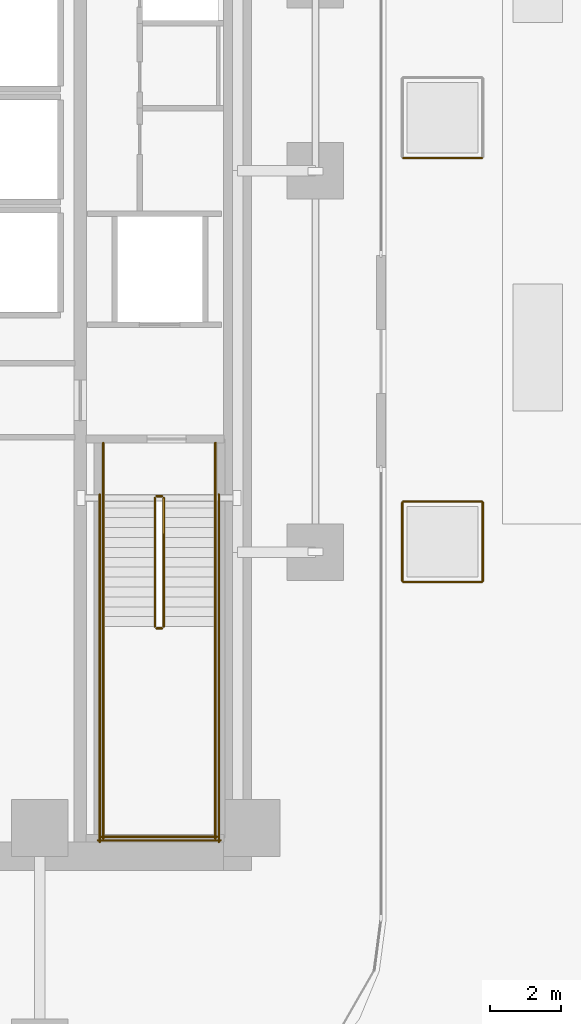
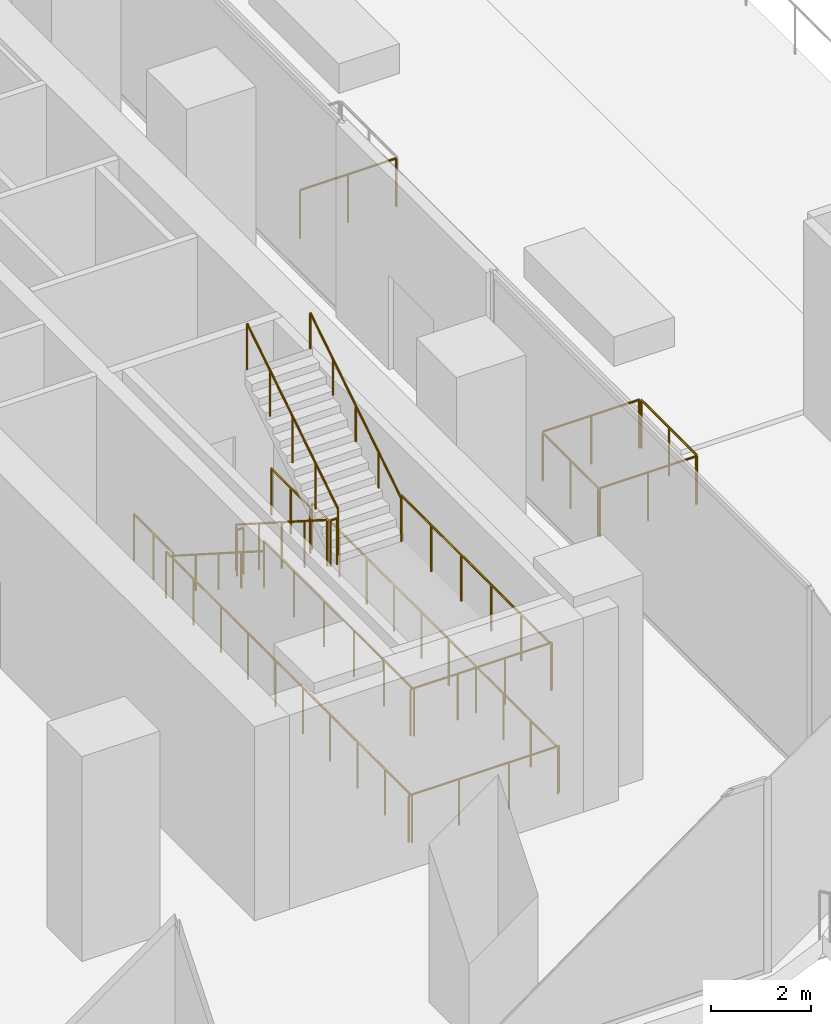
# One storey, part 18 of 21: 19 railings.
"""IFC4 building model written with IfcOpenShell, lengths in metres."""

import ifcopenshell
import ifcopenshell.guid

model = None  # the IFC model being written
_history = None  # IfcOwnerHistory: only IFC2X3 demands one
_inside = {}  # id of a spatial element -> (the spatial element, [elements in it])
_under = {}  # id of a project, library or spatial element -> (it, [spatial elements below it])
_declared = {}  # id of a project -> (the project, [libraries it declares])
_typed = {}  # id of a type object -> (the type object, [elements of that type])
_made_of = {}  # id of a material, layer set ... -> (it, [elements and type objects made of it])


def new_model(schema):
    """Start an empty IFC model of exactly this schema.

    Asked for "IFC4X3", IfcOpenShell would pick the latest addendum, in which some entities
    have other attributes; the version numbers below select the first issue.
    IFC2X3 requires an IfcOwnerHistory on every rooted entity: one is made here for all.
    """
    global model, _history
    if schema == "IFC4X3":
        model = ifcopenshell.file(schema_version=(4, 3, 0, 0))
    else:
        model = ifcopenshell.file(schema=schema)
    _inside.clear()
    _under.clear()
    _declared.clear()
    _typed.clear()
    _made_of.clear()
    _history = None
    if model.schema == "IFC2X3":
        org = make("IfcOrganization", Name="unknown")
        user = make(
            "IfcPersonAndOrganization",
            ThePerson=make("IfcPerson", FamilyName="unknown"),
            TheOrganization=org,
        )
        app = make(
            "IfcApplication",
            ApplicationDeveloper=org,
            Version="unknown",
            ApplicationFullName="unknown",
            ApplicationIdentifier="unknown",
        )
        _history = make(
            "IfcOwnerHistory",
            OwningUser=user,
            OwningApplication=app,
            ChangeAction="ADDED",
            CreationDate=0,
        )
    return model


def make(cls, **values):
    """One entity of the class cls with the attributes given. An attribute that is None is left unset."""
    return model.create_entity(
        cls, **{name: value for name, value in values.items() if value is not None}
    )


def rooted(cls, **values):
    """An entity with a GlobalId (a new one), such as an element, a storey or a relation."""
    return make(cls, GlobalId=ifcopenshell.guid.new(), OwnerHistory=_history, **values)


def si_unit(unit_type, name, prefix=None):
    """IfcSIUnit, for example si_unit("LENGTHUNIT", "METRE", prefix="MILLI")."""
    return make("IfcSIUnit", UnitType=unit_type, Prefix=prefix, Name=name)


def assignment(units):
    """IfcUnitAssignment: the units of a project."""
    return None if units is None else make("IfcUnitAssignment", Units=units)


def point(xyz):
    """IfcCartesianPoint."""
    return None if xyz is None else make("IfcCartesianPoint", Coordinates=xyz)


def direction(xyz):
    """IfcDirection."""
    return None if xyz is None else make("IfcDirection", DirectionRatios=xyz)


def frame(location, z_axis=None, x_axis=None):
    """IfcAxis2Placement3D, a coordinate frame: its origin and axes. An axis left out is left unset."""
    return make(
        "IfcAxis2Placement3D",
        Location=point(location),
        Axis=direction(z_axis),
        RefDirection=direction(x_axis),
    )


def frame_2d(location, x_axis=None):
    """IfcAxis2Placement2D, a coordinate frame in the plane: its origin and x axis."""
    return make(
        "IfcAxis2Placement2D", Location=point(location), RefDirection=direction(x_axis)
    )


def origin():
    """The frame at (0, 0, 0) with its axes left unset."""
    return frame((0.0, 0.0, 0.0))


def origin_2d():
    """The frame at (0, 0) in the plane with its x axis left unset."""
    return frame_2d((0.0, 0.0))


def place(relative_to, where):
    """IfcLocalPlacement: puts the frame where relative to a parent placement (None: the world)."""
    return make(
        "IfcLocalPlacement", PlacementRelTo=relative_to, RelativePlacement=where
    )


def context(
    kind, dimensions, precision=None, world=None, true_north=None, identifier=None
):
    """IfcGeometricRepresentationContext, for example the 3D "Model" context."""
    return make(
        "IfcGeometricRepresentationContext",
        ContextIdentifier=identifier,
        ContextType=kind,
        CoordinateSpaceDimension=dimensions,
        Precision=precision,
        WorldCoordinateSystem=world,
        TrueNorth=true_north,
    )


def subcontext(parent, identifier, kind, view, scale=None):
    """IfcGeometricRepresentationSubContext, for example "Body" below "Model"."""
    return make(
        "IfcGeometricRepresentationSubContext",
        ContextIdentifier=identifier,
        ContextType=kind,
        ParentContext=parent,
        TargetScale=scale,
        TargetView=view,
    )


def project(units=None, contexts=None):
    """IfcProject with its units and contexts."""
    return rooted(
        "IfcProject",
        Name="project",
        RepresentationContexts=contexts,
        UnitsInContext=assignment(units),
    )


def spatial(cls, under=None, at=None, **own):
    """A site, building, storey or space (cls), placed at a placement, below another one or the project."""
    s = rooted(cls, ObjectPlacement=at, **own)
    if under is not None:
        _under.setdefault(under.id(), (under, []))[1].append(s)
    return s


def profile(cls, at=None, kind="AREA", **sizes):
    """A parametric profile (cls). Its sizes go by their IFC names, for example OverallWidth=200.0."""
    return make(cls, ProfileType=kind, Position=at, **sizes)


def circle(**sizes):
    """IfcCircleProfileDef."""
    return profile("IfcCircleProfileDef", **sizes)


def extrude(swept, where, along, depth):
    """IfcExtrudedAreaSolid: the profile swept, set in the frame where, extruded along a direction by depth."""
    return make(
        "IfcExtrudedAreaSolid",
        SweptArea=swept,
        Position=where,
        ExtrudedDirection=direction(along),
        Depth=depth,
    )


def shape(context_of_items, identifier, shape_type, items):
    """IfcShapeRepresentation: the items that make up one representation, for example the "Body"."""
    return make(
        "IfcShapeRepresentation",
        ContextOfItems=context_of_items,
        RepresentationIdentifier=identifier,
        RepresentationType=shape_type,
        Items=items,
    )


def material(Name=None, Category=None):
    """IfcMaterial."""
    return make("IfcMaterial", Name=Name, Category=Category)


def made_of(thing, what):
    """Note that an element or type object is made of a material, layer set ...; save() writes the relation."""
    if what is not None:
        _made_of.setdefault(what.id(), (what, []))[1].append(thing)
    return thing


def type_object(cls, material=None, **own):
    """A type object (cls), such as IfcWallType, which elements share."""
    return made_of(rooted(cls, **own), material)


def element(
    cls,
    number,
    at=None,
    inside=None,
    cuts=None,
    type_object=None,
    material=None,
    context=None,
    identifier="Body",
    shape_type=None,
    held_by="IfcProductDefinitionShape",
    body=None,
    shapes=None,
    **own,
):
    """One element of the class cls, such as IfcWall. Its Tag is "e" and its number.

    at: its placement. inside: the storey or other place that contains it. cuts: it is an
    opening in that element (IfcRelVoidsElement). A single representation is given by context,
    identifier, shape_type and body (its items); several are given by shapes. held_by: the class
    of the entity that holds the representations. save() writes the other relations.
    """
    e = rooted(cls, Tag="e%d" % number, ObjectPlacement=at, **own)
    if body is not None:
        shapes = [shape(context, identifier, shape_type, body)]
    if shapes is not None:
        e.Representation = make(held_by, Representations=shapes)
    if inside is not None:
        _inside.setdefault(inside.id(), (inside, []))[1].append(e)
    if cuts is not None:
        rooted(
            "IfcRelVoidsElement", RelatingBuildingElement=cuts, RelatedOpeningElement=e
        )
    if type_object is not None:
        _typed.setdefault(type_object.id(), (type_object, []))[1].append(e)
    return made_of(e, material)


def aggregate(whole, parts):
    """IfcRelAggregates: a whole, such as a stair, and the parts it consists of."""
    return rooted("IfcRelAggregates", RelatingObject=whole, RelatedObjects=parts)


def save(model, path):
    """Write the relations noted so far, then the file.

    IfcRelAggregates (storeys below a building ...), IfcRelContainedInSpatialStructure (elements
    in a storey), IfcRelDefinesByType, IfcRelAssociatesMaterial and IfcRelDeclares: one each for
    every whole, place, type object, material and project.
    """
    for whole, parts in _under.values():
        aggregate(whole, parts)
    for where, things in _inside.values():
        rooted(
            "IfcRelContainedInSpatialStructure",
            RelatedElements=things,
            RelatingStructure=where,
        )
    for kind, things in _typed.values():
        rooted("IfcRelDefinesByType", RelatedObjects=things, RelatingType=kind)
    for what, things in _made_of.values():
        rooted("IfcRelAssociatesMaterial", RelatedObjects=things, RelatingMaterial=what)
    for by, libraries in _declared.values():
        rooted("IfcRelDeclares", RelatingContext=by, RelatedDefinitions=libraries)
    model.write(path)


model = new_model("IFC4")

# Units and contexts
model_context = context("Model", 3, precision=1e-05, world=origin(), true_north=direction((0.0, 1.0)))
body_context = subcontext(model_context, "Body", "Model", "MODEL_VIEW")
ifc_project = project(units=[si_unit("LENGTHUNIT", "METRE"), si_unit("AREAUNIT", "SQUARE_METRE"), si_unit("VOLUMEUNIT", "CUBIC_METRE"), si_unit("PLANEANGLEUNIT", "RADIAN"), si_unit("MASSUNIT", "GRAM", prefix="KILO")], contexts=[model_context])

# Site, building, storey
site_placement = place(None, origin())
site = spatial("IfcSite", under=ifc_project, at=site_placement, CompositionType="ELEMENT")
building_placement = place(site_placement, origin())
building = spatial("IfcBuilding", under=site, at=building_placement, Name="Khairoan Windgate Tower", CompositionType="ELEMENT")
storey_placement = place(building_placement, frame((0.0, 0.0, 21.0)))
storey = spatial("IfcBuildingStorey", under=building, at=storey_placement, Name="L05", CompositionType="ELEMENT", Elevation=21.0)

# Railings
ifc_material_1 = material(Name="Anodised Bronze Aluminium 6063-T6", Category="aluminium")
railing_type_1 = type_object("IfcRailingType", Name="Aerodynamic Bronze-and-Glass Balustrade BAL-1200", PredefinedType="BALUSTRADE", material=ifc_material_1)
railing_1_placement = place(storey_placement, frame((24.68994140625, -11.639892578125, 0.0)))
element("IfcRailing", 1, at=railing_1_placement, inside=storey, type_object=railing_type_1, Name="Podium Skylight 04 Guardrail 1", PredefinedType="BALUSTRADE", context=body_context, shape_type="SweptSolid", body=[
    extrude(circle(Radius=0.02392578125, at=origin_2d()), frame((0.0, 0.0, 1.17578125), z_axis=(1.0, 0.0, 0.0), x_axis=(0.0, 1.0, 0.0)), (0.0, 0.0, 1.0), 2.219970703125),
    extrude(circle(Radius=0.02099609375, at=origin_2d()), origin(), (0.0, 0.0, 1.0), 1.15185546875),
    extrude(circle(Radius=0.02099609375, at=origin_2d()), frame((1.10986328125, 0.0, 0.0)), (0.0, 0.0, 1.0), 1.15185546875),
    extrude(circle(Radius=0.02099609375, at=origin_2d()), frame((2.219970703125, 0.0, 0.0)), (0.0, 0.0, 1.0), 1.15185546875),
])
railing_2_placement = place(storey_placement, frame((26.93994140625, -11.610107421875, 0.0)))
element("IfcRailing", 2, at=railing_2_placement, inside=storey, type_object=railing_type_1, Name="Podium Skylight 04 Guardrail 2", PredefinedType="BALUSTRADE", context=body_context, shape_type="SweptSolid", body=[
    extrude(circle(Radius=0.02392578125, at=origin_2d()), frame((0.0, 0.0, 1.17578125), z_axis=(0.0, 1.0, 0.0), x_axis=(-1.0, 0.0, 0.0)), (0.0, 0.0, 1.0), 2.22021484375),
    extrude(circle(Radius=0.02099609375, at=origin_2d()), origin(), (0.0, 0.0, 1.0), 1.15185546875),
    extrude(circle(Radius=0.02099609375, at=origin_2d()), frame((0.0, 1.110107421875, 0.0)), (0.0, 0.0, 1.0), 1.15185546875),
    extrude(circle(Radius=0.02099609375, at=origin_2d()), frame((0.0, 2.22021484375, 0.0)), (0.0, 0.0, 1.0), 1.15185546875),
])
railing_3_placement = place(storey_placement, frame((26.909912109375, -9.360107421875, 0.0)))
element("IfcRailing", 3, at=railing_3_placement, inside=storey, type_object=railing_type_1, Name="Podium Skylight 04 Guardrail 3", PredefinedType="BALUSTRADE", context=body_context, shape_type="SweptSolid", body=[
    extrude(circle(Radius=0.02392578125, at=origin_2d()), frame((0.0, 0.0, 1.17578125), z_axis=(-1.0, 0.0, 0.0), x_axis=(0.0, -1.0, 0.0)), (0.0, 0.0, 1.0), 2.219970703125),
    extrude(circle(Radius=0.02099609375, at=origin_2d()), origin(), (0.0, 0.0, 1.0), 1.15185546875),
    extrude(circle(Radius=0.02099609375, at=origin_2d()), frame((-1.10986328125, 0.0, 0.0)), (0.0, 0.0, 1.0), 1.15185546875),
    extrude(circle(Radius=0.02099609375, at=origin_2d()), frame((-2.219970703125, 0.0, 0.0)), (0.0, 0.0, 1.0), 1.15185546875),
])
railing_4_placement = place(storey_placement, frame((24.659912109375, -9.389892578125, 0.0)))
element("IfcRailing", 4, at=railing_4_placement, inside=storey, type_object=railing_type_1, Name="Podium Skylight 04 Guardrail 4", PredefinedType="BALUSTRADE", context=body_context, shape_type="SweptSolid", body=[
    extrude(circle(Radius=0.02392578125, at=origin_2d()), frame((0.0, 0.0, 1.17578125), z_axis=(0.0, -1.0, 0.0), x_axis=(1.0, 0.0, 0.0)), (0.0, 0.0, 1.0), 2.22021484375),
    extrude(circle(Radius=0.02099609375, at=origin_2d()), origin(), (0.0, 0.0, 1.0), 1.15185546875),
    extrude(circle(Radius=0.02099609375, at=origin_2d()), frame((0.0, -1.110107421875, 0.0)), (0.0, 0.0, 1.0), 1.15185546875),
    extrude(circle(Radius=0.02099609375, at=origin_2d()), frame((0.0, -2.22021484375, 0.0)), (0.0, 0.0, 1.0), 1.15185546875),
])
railing_5_placement = place(storey_placement, frame((24.68994140625, 0.360107421875, 0.0)))
element("IfcRailing", 5, at=railing_5_placement, inside=storey, type_object=railing_type_1, Name="Podium Skylight 05 Guardrail 1", PredefinedType="BALUSTRADE", context=body_context, shape_type="SweptSolid", body=[
    extrude(circle(Radius=0.02392578125, at=origin_2d()), frame((0.0, 0.0, 1.17578125), z_axis=(1.0, 0.0, 0.0), x_axis=(0.0, 1.0, 0.0)), (0.0, 0.0, 1.0), 2.219970703125),
    extrude(circle(Radius=0.02099609375, at=origin_2d()), origin(), (0.0, 0.0, 1.0), 1.15185546875),
    extrude(circle(Radius=0.02099609375, at=origin_2d()), frame((1.10986328125, 0.0, 0.0)), (0.0, 0.0, 1.0), 1.15185546875),
    extrude(circle(Radius=0.02099609375, at=origin_2d()), frame((2.219970703125, 0.0, 0.0)), (0.0, 0.0, 1.0), 1.15185546875),
])
ifc_material_2 = material(Name="Anodised Bronze Aluminium 6063-T6", Category="aluminium")
railing_type_2 = type_object("IfcRailingType", Name="Stair Wall Handrail SHR-900", PredefinedType="HANDRAIL", material=ifc_material_2)
railing_6_placement = place(storey_placement, frame((16.199951171875, -9.260009765625, 0.178466796875)))
element("IfcRailing", 6, at=railing_6_placement, inside=storey, type_object=railing_type_2, Name="L05 ST1 stair handrail 1", PredefinedType="HANDRAIL", context=body_context, shape_type="SweptSolid", body=[
    extrude(circle(Radius=0.02392578125, at=origin_2d()), frame((0.0, 0.0, 0.8759765625), z_axis=(0.0, -0.843111507901, 0.53773877045), x_axis=(1.0, 0.0, 0.0)), (0.0, 0.0, 1.0), 4.317138671875),
    extrude(circle(Radius=0.02099609375, at=origin_2d()), origin(), (0.0, 0.0, 1.0), 0.851806640625),
    extrude(circle(Radius=0.02099609375, at=origin_2d()), frame((0.0, -0.909912109375, 0.580322265625)), (0.0, 0.0, 1.0), 0.851806640625),
    extrude(circle(Radius=0.02099609375, at=origin_2d()), frame((0.0, -1.81982421875, 1.16064453125)), (0.0, 0.0, 1.0), 0.851806640625),
    extrude(circle(Radius=0.02099609375, at=origin_2d()), frame((0.0, -2.72998046875, 1.7412109375)), (0.0, 0.0, 1.0), 0.851806640625),
    extrude(circle(Radius=0.02099609375, at=origin_2d()), frame((0.0, -3.639892578125, 2.321533203125)), (0.0, 0.0, 1.0), 0.851806640625),
])
railing_7_placement = place(storey_placement, frame((19.3701171875, -12.89990234375, 2.678466796875)))
element("IfcRailing", 7, at=railing_7_placement, inside=storey, type_object=railing_type_2, Name="L05 ST1 stair handrail 2", PredefinedType="HANDRAIL", context=body_context, shape_type="SweptSolid", body=[
    extrude(circle(Radius=0.02392578125, at=origin_2d()), frame((0.0, 0.0, 0.8759765625), z_axis=(0.0, 0.843111507901, 0.53773877045), x_axis=(-1.0, 0.0, 0.0)), (0.0, 0.0, 1.0), 4.317138671875),
    extrude(circle(Radius=0.02099609375, at=origin_2d()), origin(), (0.0, 0.0, 1.0), 0.851806640625),
    extrude(circle(Radius=0.02099609375, at=origin_2d()), frame((0.0, 0.909912109375, 0.580322265625)), (0.0, 0.0, 1.0), 0.851806640625),
    extrude(circle(Radius=0.02099609375, at=origin_2d()), frame((0.0, 1.81982421875, 1.16064453125)), (0.0, 0.0, 1.0), 0.851806640625),
    extrude(circle(Radius=0.02099609375, at=origin_2d()), frame((0.0, 2.72998046875, 1.7412109375)), (0.0, 0.0, 1.0), 0.851806640625),
    extrude(circle(Radius=0.02099609375, at=origin_2d()), frame((0.0, 3.639892578125, 2.321533203125)), (0.0, 0.0, 1.0), 0.851806640625),
])
ifc_material_3 = material(Name="Steel S355", Category="steel")
railing_type_3 = type_object("IfcRailingType", Name="Stairwell Safety Guardrail SGR-1150", PredefinedType="GUARDRAIL", material=ifc_material_3)
railing_8_placement = place(storey_placement, frame((17.659912109375, -9.260009765625, 0.178466796875)))
element("IfcRailing", 8, at=railing_8_placement, inside=storey, type_object=railing_type_3, Name="L05 ST1 stair guard 1", PredefinedType="GUARDRAIL", context=body_context, shape_type="SweptSolid", body=[
    extrude(circle(Radius=0.02392578125, at=origin_2d()), frame((0.0, 0.0, 1.1259765625), z_axis=(0.0, -0.843111507901, 0.53773877045), x_axis=(1.0, 0.0, 0.0)), (0.0, 0.0, 1.0), 4.317138671875),
    extrude(circle(Radius=0.02099609375, at=origin_2d()), origin(), (0.0, 0.0, 1.0), 1.101806640625),
    extrude(circle(Radius=0.02099609375, at=origin_2d()), frame((0.0, -0.909912109375, 0.580322265625)), (0.0, 0.0, 1.0), 1.101806640625),
    extrude(circle(Radius=0.02099609375, at=origin_2d()), frame((0.0, -1.81982421875, 1.16064453125)), (0.0, 0.0, 1.0), 1.101806640625),
    extrude(circle(Radius=0.02099609375, at=origin_2d()), frame((0.0, -2.72998046875, 1.7412109375)), (0.0, 0.0, 1.0), 1.101806640625),
    extrude(circle(Radius=0.02099609375, at=origin_2d()), frame((0.0, -3.639892578125, 2.321533203125)), (0.0, 0.0, 1.0), 1.101806640625),
])
railing_9_placement = place(storey_placement, frame((17.7099609375, -12.949951171875, 2.5)))
element("IfcRailing", 9, at=railing_9_placement, inside=storey, type_object=railing_type_3, Name="L05 ST1 stair guard 2", PredefinedType="GUARDRAIL", context=body_context, shape_type="SweptSolid", body=[
    extrude(circle(Radius=0.02392578125, at=origin_2d()), frame((0.0, 0.0, 1.1259765625), z_axis=(1.0, 0.0, 0.0), x_axis=(0.0, 1.0, 0.0)), (0.0, 0.0, 1.0), 0.150146484375),
    extrude(circle(Radius=0.02099609375, at=origin_2d()), origin(), (0.0, 0.0, 1.0), 1.101806640625),
    extrude(circle(Radius=0.02099609375, at=origin_2d()), frame((0.150146484375, 0.0, 0.0)), (0.0, 0.0, 1.0), 1.101806640625),
])
for number, where, name in (
    (10, (16.199951171875, -12.89990234375, 2.5), "L05 ST1 stair guard 3"),
    (11, (19.3701171875, -12.89990234375, 2.5), "L05 ST1 stair guard 4"),
):
    element("IfcRailing", number, at=place(storey_placement, frame(where)), inside=storey, type_object=railing_type_3, Name=name, PredefinedType="GUARDRAIL", context=body_context, shape_type="SweptSolid", body=[
        extrude(circle(Radius=0.02392578125, at=origin_2d()), frame((0.0, 0.0, 1.1259765625), z_axis=(0.0, -1.0, 0.0), x_axis=(1.0, 0.0, 0.0)), (0.0, 0.0, 1.0), 6.0),
        extrude(circle(Radius=0.02099609375, at=origin_2d()), origin(), (0.0, 0.0, 1.0), 1.101806640625),
        extrude(circle(Radius=0.02099609375, at=origin_2d()), frame((0.0, -1.199951171875, 0.0)), (0.0, 0.0, 1.0), 1.101806640625),
        extrude(circle(Radius=0.02099609375, at=origin_2d()), frame((0.0, -2.39990234375, 0.0)), (0.0, 0.0, 1.0), 1.101806640625),
        extrude(circle(Radius=0.02099609375, at=origin_2d()), frame((0.0, -3.60009765625, 0.0)), (0.0, 0.0, 1.0), 1.101806640625),
        extrude(circle(Radius=0.02099609375, at=origin_2d()), frame((0.0, -4.800048828125, 0.0)), (0.0, 0.0, 1.0), 1.101806640625),
        extrude(circle(Radius=0.02099609375, at=origin_2d()), frame((0.0, -6.0, 0.0)), (0.0, 0.0, 1.0), 1.101806640625),
    ])
railing_10_placement = place(storey_placement, frame((16.14990234375, -18.85009765625, 2.5)))
element("IfcRailing", 12, at=railing_10_placement, inside=storey, type_object=railing_type_3, Name="L05 ST1 stair guard 5", PredefinedType="GUARDRAIL", context=body_context, shape_type="SweptSolid", body=[
    extrude(circle(Radius=0.02392578125, at=origin_2d()), frame((0.0, 0.0, 1.1259765625), z_axis=(1.0, 0.0, 0.0), x_axis=(0.0, 1.0, 0.0)), (0.0, 0.0, 1.0), 3.27001953125),
    extrude(circle(Radius=0.02099609375, at=origin_2d()), origin(), (0.0, 0.0, 1.0), 1.101806640625),
    extrude(circle(Radius=0.02099609375, at=origin_2d()), frame((1.090087890625, 0.0, 0.0)), (0.0, 0.0, 1.0), 1.101806640625),
    extrude(circle(Radius=0.02099609375, at=origin_2d()), frame((2.179931640625, 0.0, 0.0)), (0.0, 0.0, 1.0), 1.101806640625),
    extrude(circle(Radius=0.02099609375, at=origin_2d()), frame((3.27001953125, 0.0, 0.0)), (0.0, 0.0, 1.0), 1.101806640625),
])
railing_11_placement = place(storey_placement, frame((17.909912109375, -12.89990234375, 2.678466796875)))
element("IfcRailing", 13, at=railing_11_placement, inside=storey, type_object=railing_type_3, Name="L05 ST1 stair guard 6", PredefinedType="GUARDRAIL", context=body_context, shape_type="SweptSolid", body=[
    extrude(circle(Radius=0.02392578125, at=origin_2d()), frame((0.0, 0.0, 1.1259765625), z_axis=(0.0, 0.843111507901, 0.53773877045), x_axis=(-1.0, 0.0, 0.0)), (0.0, 0.0, 1.0), 4.317138671875),
    extrude(circle(Radius=0.02099609375, at=origin_2d()), origin(), (0.0, 0.0, 1.0), 1.101806640625),
    extrude(circle(Radius=0.02099609375, at=origin_2d()), frame((0.0, 0.909912109375, 0.580322265625)), (0.0, 0.0, 1.0), 1.101806640625),
    extrude(circle(Radius=0.02099609375, at=origin_2d()), frame((0.0, 1.81982421875, 1.16064453125)), (0.0, 0.0, 1.0), 1.101806640625),
    extrude(circle(Radius=0.02099609375, at=origin_2d()), frame((0.0, 2.72998046875, 1.7412109375)), (0.0, 0.0, 1.0), 1.101806640625),
    extrude(circle(Radius=0.02099609375, at=origin_2d()), frame((0.0, 3.639892578125, 2.321533203125)), (0.0, 0.0, 1.0), 1.101806640625),
])
railing_12_placement = place(storey_placement, frame((17.7099609375, -9.2099609375, 0.0)))
element("IfcRailing", 14, at=railing_12_placement, inside=storey, type_object=railing_type_3, Name="L05 ST1 stair guard 7", PredefinedType="GUARDRAIL", context=body_context, shape_type="SweptSolid", body=[
    extrude(circle(Radius=0.02392578125, at=origin_2d()), frame((0.0, 0.0, 1.1259765625), z_axis=(1.0, 0.0, 0.0), x_axis=(0.0, 1.0, 0.0)), (0.0, 0.0, 1.0), 0.150146484375),
    extrude(circle(Radius=0.02099609375, at=origin_2d()), origin(), (0.0, 0.0, 1.0), 1.101806640625),
    extrude(circle(Radius=0.02099609375, at=origin_2d()), frame((0.150146484375, 0.0, 0.0)), (0.0, 0.0, 1.0), 1.101806640625),
])
for number, where, name in (
    (15, (16.199951171875, -7.699951171875, 0.0), "L05 ST1 stair guard 8"),
    (16, (19.3701171875, -7.699951171875, 0.0), "L05 ST1 stair guard 9"),
):
    element("IfcRailing", number, at=place(storey_placement, frame(where)), inside=storey, type_object=railing_type_3, Name=name, PredefinedType="GUARDRAIL", context=body_context, shape_type="SweptSolid", body=[
        extrude(circle(Radius=0.02392578125, at=origin_2d()), frame((0.0, 0.0, 1.1259765625), z_axis=(0.0, -1.0, 0.0), x_axis=(1.0, 0.0, 0.0)), (0.0, 0.0, 1.0), 1.56005859375),
        extrude(circle(Radius=0.02099609375, at=origin_2d()), origin(), (0.0, 0.0, 1.0), 1.101806640625),
        extrude(circle(Radius=0.02099609375, at=origin_2d()), frame((0.0, -0.780029296875, 0.0)), (0.0, 0.0, 1.0), 1.101806640625),
        extrude(circle(Radius=0.02099609375, at=origin_2d()), frame((0.0, -1.56005859375, 0.0)), (0.0, 0.0, 1.0), 1.101806640625),
    ])
for number, where, name in (
    (17, (16.10009765625, -9.159912109375, 0.0), "L05 ST1 stair guard 10"),
    (18, (19.469970703125, -9.159912109375, 0.0), "L05 ST1 stair guard 11"),
):
    element("IfcRailing", number, at=place(storey_placement, frame(where)), inside=storey, type_object=railing_type_3, Name=name, PredefinedType="GUARDRAIL", context=body_context, shape_type="SweptSolid", body=[
        extrude(circle(Radius=0.02392578125, at=origin_2d()), frame((0.0, 0.0, 1.1259765625), z_axis=(0.0, -1.0, 0.0), x_axis=(1.0, 0.0, 0.0)), (0.0, 0.0, 1.0), 9.840087890625),
        extrude(circle(Radius=0.02099609375, at=origin_2d()), origin(), (0.0, 0.0, 1.0), 1.101806640625),
        extrude(circle(Radius=0.02099609375, at=origin_2d()), frame((0.0, -1.09326171875, 0.0)), (0.0, 0.0, 1.0), 1.101806640625),
        extrude(circle(Radius=0.02099609375, at=origin_2d()), frame((0.0, -2.186767578125, 0.0)), (0.0, 0.0, 1.0), 1.101806640625),
        extrude(circle(Radius=0.02099609375, at=origin_2d()), frame((0.0, -3.280029296875, 0.0)), (0.0, 0.0, 1.0), 1.101806640625),
        extrude(circle(Radius=0.02099609375, at=origin_2d()), frame((0.0, -4.373291015625, 0.0)), (0.0, 0.0, 1.0), 1.101806640625),
        extrude(circle(Radius=0.02099609375, at=origin_2d()), frame((0.0, -5.466796875, 0.0)), (0.0, 0.0, 1.0), 1.101806640625),
        extrude(circle(Radius=0.02099609375, at=origin_2d()), frame((0.0, -6.56005859375, 0.0)), (0.0, 0.0, 1.0), 1.101806640625),
        extrude(circle(Radius=0.02099609375, at=origin_2d()), frame((0.0, -7.6533203125, 0.0)), (0.0, 0.0, 1.0), 1.101806640625),
        extrude(circle(Radius=0.02099609375, at=origin_2d()), frame((0.0, -8.746826171875, 0.0)), (0.0, 0.0, 1.0), 1.101806640625),
        extrude(circle(Radius=0.02099609375, at=origin_2d()), frame((0.0, -9.840087890625, 0.0)), (0.0, 0.0, 1.0), 1.101806640625),
    ])
railing_13_placement = place(storey_placement, frame((16.050048828125, -18.949951171875, 0.0)))
element("IfcRailing", 19, at=railing_13_placement, inside=storey, type_object=railing_type_3, Name="L05 ST1 stair guard 12", PredefinedType="GUARDRAIL", context=body_context, shape_type="SweptSolid", body=[
    extrude(circle(Radius=0.02392578125, at=origin_2d()), frame((0.0, 0.0, 1.1259765625), z_axis=(1.0, 0.0, 0.0), x_axis=(0.0, 1.0, 0.0)), (0.0, 0.0, 1.0), 3.469970703125),
    extrude(circle(Radius=0.02099609375, at=origin_2d()), origin(), (0.0, 0.0, 1.0), 1.101806640625),
    extrude(circle(Radius=0.02099609375, at=origin_2d()), frame((1.15673828125, 0.0, 0.0)), (0.0, 0.0, 1.0), 1.101806640625),
    extrude(circle(Radius=0.02099609375, at=origin_2d()), frame((2.313232421875, 0.0, 0.0)), (0.0, 0.0, 1.0), 1.101806640625),
    extrude(circle(Radius=0.02099609375, at=origin_2d()), frame((3.469970703125, 0.0, 0.0)), (0.0, 0.0, 1.0), 1.101806640625),
])

save(model, "model.ifc")
